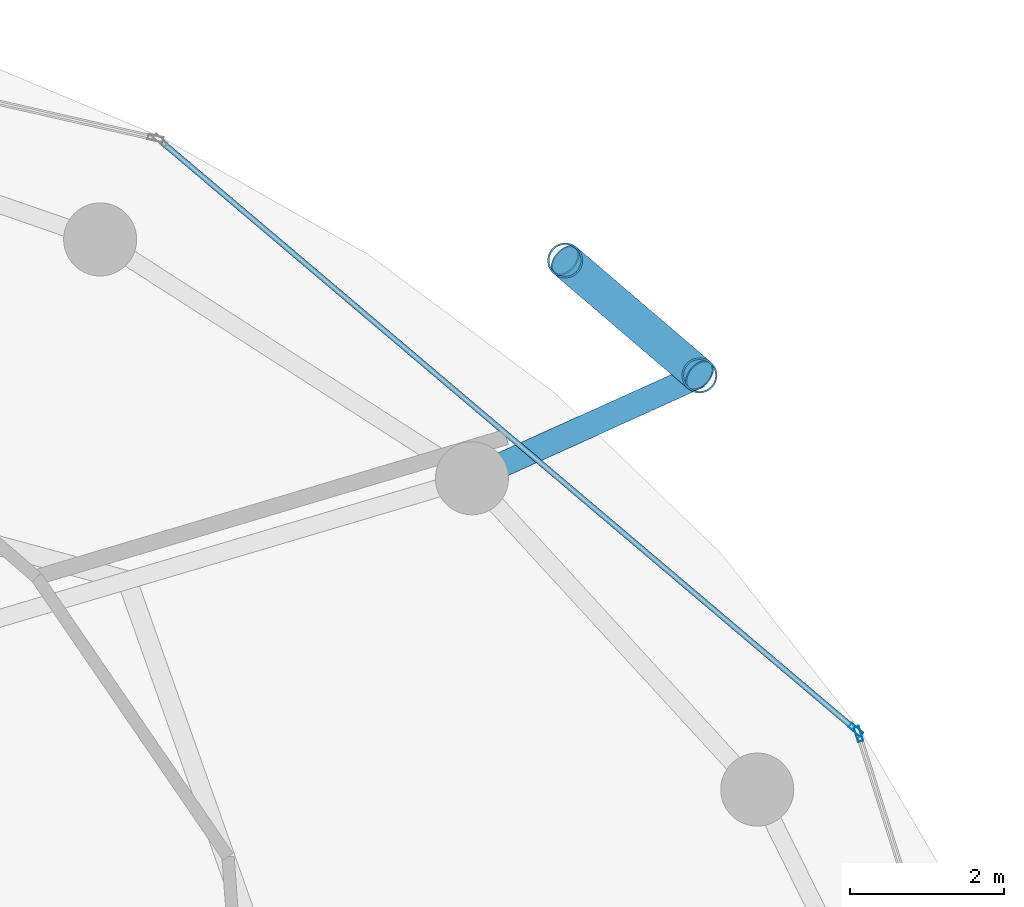
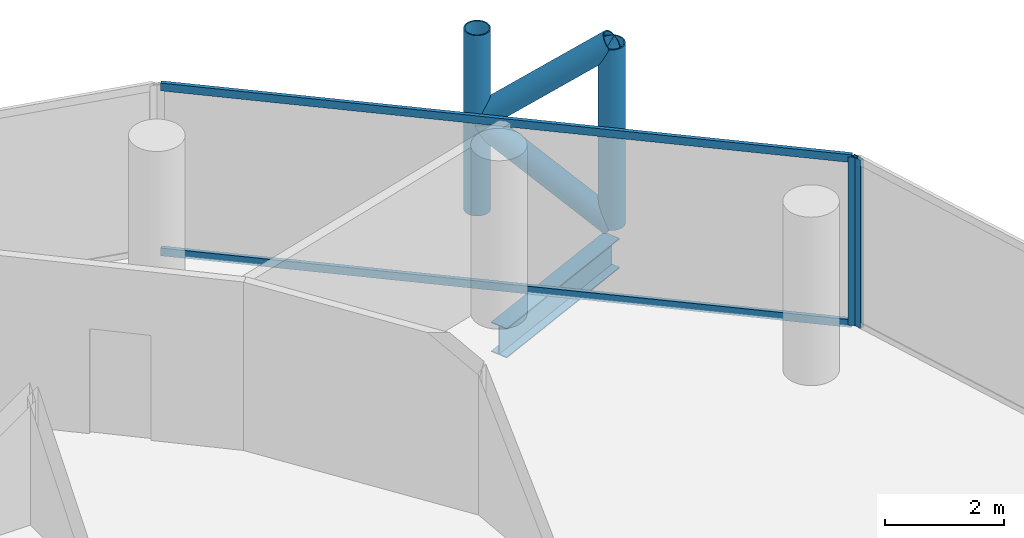
# One storey, part 19 of 26: 8 members, 1 beam, 2 elements without a shape of their own.
"""IFC4 building model written with IfcOpenShell, lengths in metres."""

import ifcopenshell
import ifcopenshell.guid

model = None  # the IFC model being written
_history = None  # IfcOwnerHistory: only IFC2X3 demands one
_inside = {}  # id of a spatial element -> (the spatial element, [elements in it])
_under = {}  # id of a project, library or spatial element -> (it, [spatial elements below it])
_declared = {}  # id of a project -> (the project, [libraries it declares])
_typed = {}  # id of a type object -> (the type object, [elements of that type])
_made_of = {}  # id of a material, layer set ... -> (it, [elements and type objects made of it])


def new_model(schema):
    """Start an empty IFC model of exactly this schema.

    Asked for "IFC4X3", IfcOpenShell would pick the latest addendum, in which some entities
    have other attributes; the version numbers below select the first issue.
    IFC2X3 requires an IfcOwnerHistory on every rooted entity: one is made here for all.
    """
    global model, _history
    if schema == "IFC4X3":
        model = ifcopenshell.file(schema_version=(4, 3, 0, 0))
    else:
        model = ifcopenshell.file(schema=schema)
    _inside.clear()
    _under.clear()
    _declared.clear()
    _typed.clear()
    _made_of.clear()
    _history = None
    if model.schema == "IFC2X3":
        org = make("IfcOrganization", Name="unknown")
        user = make(
            "IfcPersonAndOrganization",
            ThePerson=make("IfcPerson", FamilyName="unknown"),
            TheOrganization=org,
        )
        app = make(
            "IfcApplication",
            ApplicationDeveloper=org,
            Version="unknown",
            ApplicationFullName="unknown",
            ApplicationIdentifier="unknown",
        )
        _history = make(
            "IfcOwnerHistory",
            OwningUser=user,
            OwningApplication=app,
            ChangeAction="ADDED",
            CreationDate=0,
        )
    return model


def make(cls, **values):
    """One entity of the class cls with the attributes given. An attribute that is None is left unset."""
    return model.create_entity(
        cls, **{name: value for name, value in values.items() if value is not None}
    )


def rooted(cls, **values):
    """An entity with a GlobalId (a new one), such as an element, a storey or a relation."""
    return make(cls, GlobalId=ifcopenshell.guid.new(), OwnerHistory=_history, **values)


def si_unit(unit_type, name, prefix=None):
    """IfcSIUnit, for example si_unit("LENGTHUNIT", "METRE", prefix="MILLI")."""
    return make("IfcSIUnit", UnitType=unit_type, Prefix=prefix, Name=name)


def assignment(units):
    """IfcUnitAssignment: the units of a project."""
    return None if units is None else make("IfcUnitAssignment", Units=units)


def point(xyz):
    """IfcCartesianPoint."""
    return None if xyz is None else make("IfcCartesianPoint", Coordinates=xyz)


def direction(xyz):
    """IfcDirection."""
    return None if xyz is None else make("IfcDirection", DirectionRatios=xyz)


def frame(location, z_axis=None, x_axis=None):
    """IfcAxis2Placement3D, a coordinate frame: its origin and axes. An axis left out is left unset."""
    return make(
        "IfcAxis2Placement3D",
        Location=point(location),
        Axis=direction(z_axis),
        RefDirection=direction(x_axis),
    )


def frame_2d(location, x_axis=None):
    """IfcAxis2Placement2D, a coordinate frame in the plane: its origin and x axis."""
    return make(
        "IfcAxis2Placement2D", Location=point(location), RefDirection=direction(x_axis)
    )


def origin():
    """The frame at (0, 0, 0) with its axes left unset."""
    return frame((0.0, 0.0, 0.0))


def origin_2d():
    """The frame at (0, 0) in the plane with its x axis left unset."""
    return frame_2d((0.0, 0.0))


def place(relative_to, where):
    """IfcLocalPlacement: puts the frame where relative to a parent placement (None: the world)."""
    return make(
        "IfcLocalPlacement", PlacementRelTo=relative_to, RelativePlacement=where
    )


def context(
    kind, dimensions, precision=None, world=None, true_north=None, identifier=None
):
    """IfcGeometricRepresentationContext, for example the 3D "Model" context."""
    return make(
        "IfcGeometricRepresentationContext",
        ContextIdentifier=identifier,
        ContextType=kind,
        CoordinateSpaceDimension=dimensions,
        Precision=precision,
        WorldCoordinateSystem=world,
        TrueNorth=true_north,
    )


def subcontext(parent, identifier, kind, view, scale=None):
    """IfcGeometricRepresentationSubContext, for example "Body" below "Model"."""
    return make(
        "IfcGeometricRepresentationSubContext",
        ContextIdentifier=identifier,
        ContextType=kind,
        ParentContext=parent,
        TargetScale=scale,
        TargetView=view,
    )


def project(units=None, contexts=None):
    """IfcProject with its units and contexts."""
    return rooted(
        "IfcProject",
        Name="project",
        RepresentationContexts=contexts,
        UnitsInContext=assignment(units),
    )


def spatial(cls, under=None, at=None, **own):
    """A site, building, storey or space (cls), placed at a placement, below another one or the project."""
    s = rooted(cls, ObjectPlacement=at, **own)
    if under is not None:
        _under.setdefault(under.id(), (under, []))[1].append(s)
    return s


def profile(cls, at=None, kind="AREA", **sizes):
    """A parametric profile (cls). Its sizes go by their IFC names, for example OverallWidth=200.0."""
    return make(cls, ProfileType=kind, Position=at, **sizes)


def hollow_rectangle(**sizes):
    """IfcRectangleHollowProfileDef."""
    return profile("IfcRectangleHollowProfileDef", **sizes)


def hollow_circle(**sizes):
    """IfcCircleHollowProfileDef."""
    return profile("IfcCircleHollowProfileDef", **sizes)


def i_section(**sizes):
    """IfcIShapeProfileDef."""
    return profile("IfcIShapeProfileDef", **sizes)


def extrude(swept, where, along, depth):
    """IfcExtrudedAreaSolid: the profile swept, set in the frame where, extruded along a direction by depth."""
    return make(
        "IfcExtrudedAreaSolid",
        SweptArea=swept,
        Position=where,
        ExtrudedDirection=direction(along),
        Depth=depth,
    )


def shape(context_of_items, identifier, shape_type, items):
    """IfcShapeRepresentation: the items that make up one representation, for example the "Body"."""
    return make(
        "IfcShapeRepresentation",
        ContextOfItems=context_of_items,
        RepresentationIdentifier=identifier,
        RepresentationType=shape_type,
        Items=items,
    )


def material(Name=None, Category=None):
    """IfcMaterial."""
    return make("IfcMaterial", Name=Name, Category=Category)


def layer(
    of_material, thickness, ventilated=None, Name=None, Category=None, Priority=None
):
    """IfcMaterialLayer: one layer of a wall or slab, of a material (None: an air gap)."""
    return make(
        "IfcMaterialLayer",
        Material=of_material,
        LayerThickness=thickness,
        IsVentilated=ventilated,
        Name=Name,
        Category=Category,
        Priority=Priority,
    )


def layer_set(layers, Name=None):
    """IfcMaterialLayerSet."""
    return make("IfcMaterialLayerSet", MaterialLayers=layers, LayerSetName=Name)


def material_profile(
    of_material, cross_section, Name=None, Category=None, Priority=None
):
    """IfcMaterialProfile: a cross section and its material."""
    return make(
        "IfcMaterialProfile",
        Name=Name,
        Material=of_material,
        Profile=cross_section,
        Priority=Priority,
        Category=Category,
    )


def profile_set(profiles, Name=None, composite=None):
    """IfcMaterialProfileSet."""
    return make(
        "IfcMaterialProfileSet",
        Name=Name,
        MaterialProfiles=profiles,
        CompositeProfile=composite,
    )


def made_of(thing, what):
    """Note that an element or type object is made of a material, layer set ...; save() writes the relation."""
    if what is not None:
        _made_of.setdefault(what.id(), (what, []))[1].append(thing)
    return thing


def type_object(cls, material=None, **own):
    """A type object (cls), such as IfcWallType, which elements share."""
    return made_of(rooted(cls, **own), material)


def element(
    cls,
    number,
    at=None,
    inside=None,
    cuts=None,
    type_object=None,
    material=None,
    context=None,
    identifier="Body",
    shape_type=None,
    held_by="IfcProductDefinitionShape",
    body=None,
    shapes=None,
    **own,
):
    """One element of the class cls, such as IfcWall. Its Tag is "e" and its number.

    at: its placement. inside: the storey or other place that contains it. cuts: it is an
    opening in that element (IfcRelVoidsElement). A single representation is given by context,
    identifier, shape_type and body (its items); several are given by shapes. held_by: the class
    of the entity that holds the representations. save() writes the other relations.
    """
    e = rooted(cls, Tag="e%d" % number, ObjectPlacement=at, **own)
    if body is not None:
        shapes = [shape(context, identifier, shape_type, body)]
    if shapes is not None:
        e.Representation = make(held_by, Representations=shapes)
    if inside is not None:
        _inside.setdefault(inside.id(), (inside, []))[1].append(e)
    if cuts is not None:
        rooted(
            "IfcRelVoidsElement", RelatingBuildingElement=cuts, RelatedOpeningElement=e
        )
    if type_object is not None:
        _typed.setdefault(type_object.id(), (type_object, []))[1].append(e)
    return made_of(e, material)


def aggregate(whole, parts):
    """IfcRelAggregates: a whole, such as a stair, and the parts it consists of."""
    return rooted("IfcRelAggregates", RelatingObject=whole, RelatedObjects=parts)


def save(model, path):
    """Write the relations noted so far, then the file.

    IfcRelAggregates (storeys below a building ...), IfcRelContainedInSpatialStructure (elements
    in a storey), IfcRelDefinesByType, IfcRelAssociatesMaterial and IfcRelDeclares: one each for
    every whole, place, type object, material and project.
    """
    for whole, parts in _under.values():
        aggregate(whole, parts)
    for where, things in _inside.values():
        rooted(
            "IfcRelContainedInSpatialStructure",
            RelatedElements=things,
            RelatingStructure=where,
        )
    for kind, things in _typed.values():
        rooted("IfcRelDefinesByType", RelatedObjects=things, RelatingType=kind)
    for what, things in _made_of.values():
        rooted("IfcRelAssociatesMaterial", RelatedObjects=things, RelatingMaterial=what)
    for by, libraries in _declared.values():
        rooted("IfcRelDeclares", RelatingContext=by, RelatedDefinitions=libraries)
    model.write(path)


model = new_model("IFC4")

# Units and contexts
model_context = context("Model", 3, precision=1e-05, world=origin(), true_north=direction((0.0, 1.0)))
body_context = subcontext(model_context, "Body", "Model", "MODEL_VIEW")
ifc_project = project(units=[si_unit("LENGTHUNIT", "METRE"), si_unit("AREAUNIT", "SQUARE_METRE"), si_unit("VOLUMEUNIT", "CUBIC_METRE"), si_unit("PLANEANGLEUNIT", "RADIAN"), si_unit("MASSUNIT", "GRAM", prefix="KILO")], contexts=[model_context])

# Site, building, storey
site_placement = place(None, origin())
site = spatial("IfcSite", under=ifc_project, at=site_placement, CompositionType="ELEMENT")
building_placement = place(site_placement, origin())
building = spatial("IfcBuilding", under=site, at=building_placement, Name="Nuhasar Tower", CompositionType="ELEMENT")
storey_placement = place(building_placement, frame((0.0, 0.0, 155.25)))
storey = spatial("IfcBuildingStorey", under=building, at=storey_placement, Name="L37", CompositionType="ELEMENT", Elevation=155.25)

# Beam
ifc_material_1 = material(Name="Steel S355", Category="steel")
ifc_material_profile_1 = material_profile(ifc_material_1, i_section(OverallWidth=0.323974609375, OverallDepth=0.611083984375, WebThickness=0.0126953125, FlangeThickness=0.01904296875, at=origin_2d()), Name="W24X104")
ifc_profile_set_1 = profile_set([ifc_material_profile_1], Name="Steel S355")
beam_type = type_object("IfcBeamType", Name="BM-TIE-W24X104", PredefinedType="BEAM", material=ifc_profile_set_1)
beam_placement = place(storey_placement, frame((55.510986328125, 40.6240234375, -0.554931640625), z_axis=(0.911239591969, 0.411876687891, 0.0), x_axis=(-0.411876687891, 0.911239591969, 0.0)))
element("IfcBeam", 1, at=beam_placement, inside=storey, type_object=beam_type, Name="L37 Exoskeleton Node Tie Beam 02", PredefinedType="BEAM", context=body_context, shape_type="SweptSolid", body=[
    extrude(i_section(OverallWidth=0.323974609375, OverallDepth=0.611083984375, WebThickness=0.0126953125, FlangeThickness=0.01904296875, at=origin_2d()), origin(), (0.0, 0.0, 1.0), 3.248291015625),
])

# Curtain wall, member
ifc_material_2 = material(Name="Aluminium 6063-T6", Category="aluminium")
ifc_layer = layer(ifc_material_2, 0.199951171875)
ifc_layer_set = layer_set([ifc_layer], Name="Aluminium 6063-T6")
curtain_wall_type = type_object("IfcCurtainWallType", Name="CW-Z2-HTL", PredefinedType="NOTDEFINED", material=ifc_layer_set)
curtain_wall_1_placement = place(storey_placement, origin())
curtain_wall_1 = element("IfcCurtainWall", 2, at=curtain_wall_1_placement, inside=storey, type_object=curtain_wall_type, Name="L37 Unitised Curtain Wall 01", PredefinedType="NOTDEFINED")
ifc_material_profile_2 = material_profile(ifc_material_2, hollow_rectangle(XDim=0.070068359375, YDim=0.199951171875, WallThickness=0.0048828125, at=origin_2d()), Name="CWM-3")
ifc_profile_set_2 = profile_set([ifc_material_profile_2], Name="Aluminium 6063-T6")
member_type_1 = type_object("IfcMemberType", Name="CW-MUL-S3", PredefinedType="MULLION", material=ifc_profile_set_2)
member_1_placement = place(storey_placement, frame((60.53955078125, 37.296630859375, 0.0), z_axis=(0.0, 0.0, 1.0), x_axis=(-0.953433389233, -0.301603667577, 0.0)))
member_1 = element("IfcMember", 3, at=member_1_placement, type_object=member_type_1, Name="CW-Z2 mullion 2", PredefinedType="MULLION", context=body_context, shape_type="SweptSolid", body=[
    extrude(hollow_rectangle(XDim=0.070068359375, YDim=0.199951171875, WallThickness=0.0048828125, at=origin_2d()), origin(), (0.0, 0.0, 1.0), 3.449951171875),
])
aggregate(curtain_wall_1, [member_1])

# Curtain wall, members
curtain_wall_2_placement = place(storey_placement, origin())
curtain_wall_2 = element("IfcCurtainWall", 4, at=curtain_wall_2_placement, inside=storey, type_object=curtain_wall_type, Name="L37 Unitised Curtain Wall 02", PredefinedType="NOTDEFINED")
member_2_placement = place(storey_placement, frame((60.502197265625, 37.3525390625, 0.0), z_axis=(0.0, 0.0, 1.0), x_axis=(-0.646374438324, -0.763020370292, 0.0)))
member_2 = element("IfcMember", 5, at=member_2_placement, type_object=member_type_1, Name="CW-Z2 mullion 1", PredefinedType="MULLION", context=body_context, shape_type="SweptSolid", body=[
    extrude(hollow_rectangle(XDim=0.070068359375, YDim=0.199951171875, WallThickness=0.0048828125, at=origin_2d()), origin(), (0.0, 0.0, 1.0), 3.449951171875),
])
ifc_material_profile_3 = material_profile(ifc_material_2, hollow_rectangle(XDim=0.070068359375, YDim=0.159912109375, WallThickness=0.00439453125, at=origin_2d()), Name="CWT-3")
ifc_profile_set_3 = profile_set([ifc_material_profile_3], Name="Aluminium 6063-T6")
member_type_2 = type_object("IfcMemberType", Name="CW-TRN-S3", PredefinedType="USERDEFINED", material=ifc_profile_set_3)
member_3_placement = place(storey_placement, frame((60.4755859375, 37.375244140625, 0.034912109375), z_axis=(-0.763023915269, 0.646370253592, 0.0), x_axis=(-0.646370253592, -0.763023915269, 0.0)))
member_3 = element("IfcMember", 6, at=member_3_placement, type_object=member_type_2, Name="CW-Z2 transom 1.1", ObjectType="TRANSOM", PredefinedType="USERDEFINED", context=body_context, shape_type="SweptSolid", body=[
    extrude(hollow_rectangle(XDim=0.070068359375, YDim=0.159912109375, WallThickness=0.00439453125, at=origin_2d()), origin(), (0.0, 0.0, 1.0), 11.784912109375),
])
member_4_placement = place(storey_placement, frame((60.4755859375, 37.375244140625, 3.4150390625), z_axis=(-0.763023915269, 0.646370253592, 0.0), x_axis=(-0.646370253592, -0.763023915269, 0.0)))
member_4 = element("IfcMember", 7, at=member_4_placement, type_object=member_type_2, Name="CW-Z2 transom 1.2", ObjectType="TRANSOM", PredefinedType="USERDEFINED", context=body_context, shape_type="SweptSolid", body=[
    extrude(hollow_rectangle(XDim=0.070068359375, YDim=0.159912109375, WallThickness=0.00439453125, at=origin_2d()), origin(), (0.0, 0.0, 1.0), 11.784912109375),
])
aggregate(curtain_wall_2, [member_2, member_3, member_4])

# Members
ifc_material_3 = material(Name="Steel S460", Category="steel")
ifc_material_profile_4 = material_profile(ifc_material_3, hollow_circle(Radius=0.228515625, WallThickness=0.022216796875, at=origin_2d()), Name="HSS457X22.2")
ifc_profile_set_4 = profile_set([ifc_material_profile_4], Name="Steel S460")
member_type_3 = type_object("IfcMemberType", Name="EXO-BRONZE-457", PredefinedType="BRACE", material=ifc_profile_set_4)
for number, where, z_axis, x_axis, name in (
    (8, (58.470947265625, 41.9619140625, 0.0), (0.0, 0.0, 1.0), (1.0, 0.0, 0.0), "L37 Exoskeleton Chord Column EC-02A"),
    (9, (56.722900390625, 43.45703125, 0.0), (0.0, 0.0, 1.0), (1.0, 0.0, 0.0), "L37 Exoskeleton Chord Column EC-02B"),
):
    element("IfcMember", number, at=place(storey_placement, frame(where, z_axis=z_axis, x_axis=x_axis)), inside=storey, type_object=member_type_3, Name=name, PredefinedType="BRACE", context=body_context, shape_type="SweptSolid", body=[
        extrude(hollow_circle(Radius=0.228515625, WallThickness=0.022216796875, at=origin_2d()), origin(), (0.0, 0.0, 1.0), 3.699951171875),
    ])
member_5_placement = place(storey_placement, frame((58.470947265625, 41.9619140625, 0.0), z_axis=(-0.592170370358, 0.506487618445, 0.626741210415), x_axis=(-0.649986859795, -0.759945446788, 0.0)))
element("IfcMember", 10, at=member_5_placement, inside=storey, type_object=member_type_3, Name="L37 Bronze Diagrid Brace W1-02", PredefinedType="BRACE", context=body_context, shape_type="SweptSolid", body=[
    extrude(hollow_circle(Radius=0.228515625, WallThickness=0.022216796875, at=origin_2d()), origin(), (0.0, 0.0, 1.0), 2.951904296875),
])
member_6_placement = place(storey_placement, frame((56.722900390625, 43.45703125, 1.85009765625), z_axis=(0.592201065785, -0.506513872468, 0.626690988192), x_axis=(0.649986859795, 0.759945446788, 0.0)))
element("IfcMember", 11, at=member_6_placement, inside=storey, type_object=member_type_3, Name="L37 Bronze Diagrid Brace W2-02", PredefinedType="BRACE", context=body_context, shape_type="SweptSolid", body=[
    extrude(hollow_circle(Radius=0.228515625, WallThickness=0.022216796875, at=origin_2d()), origin(), (0.0, 0.0, 1.0), 2.95166015625),
])

save(model, "model.ifc")
